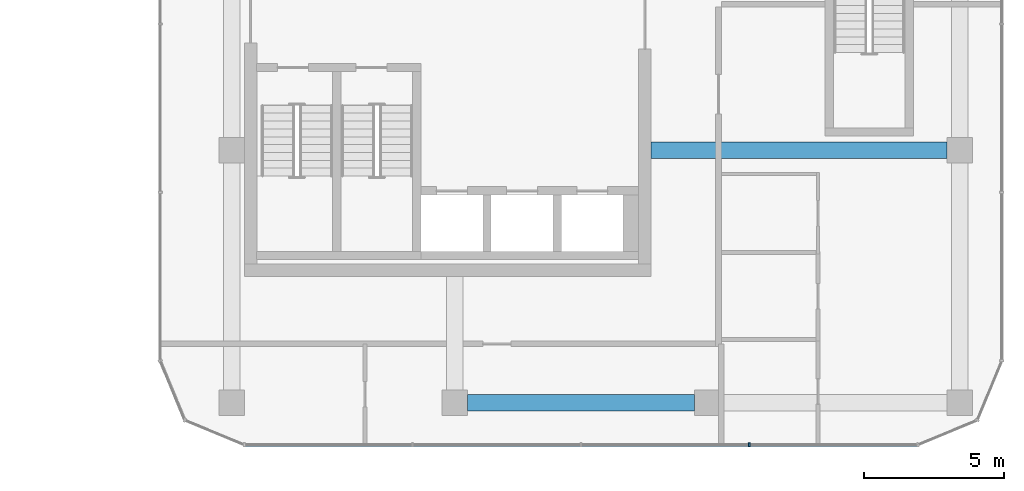
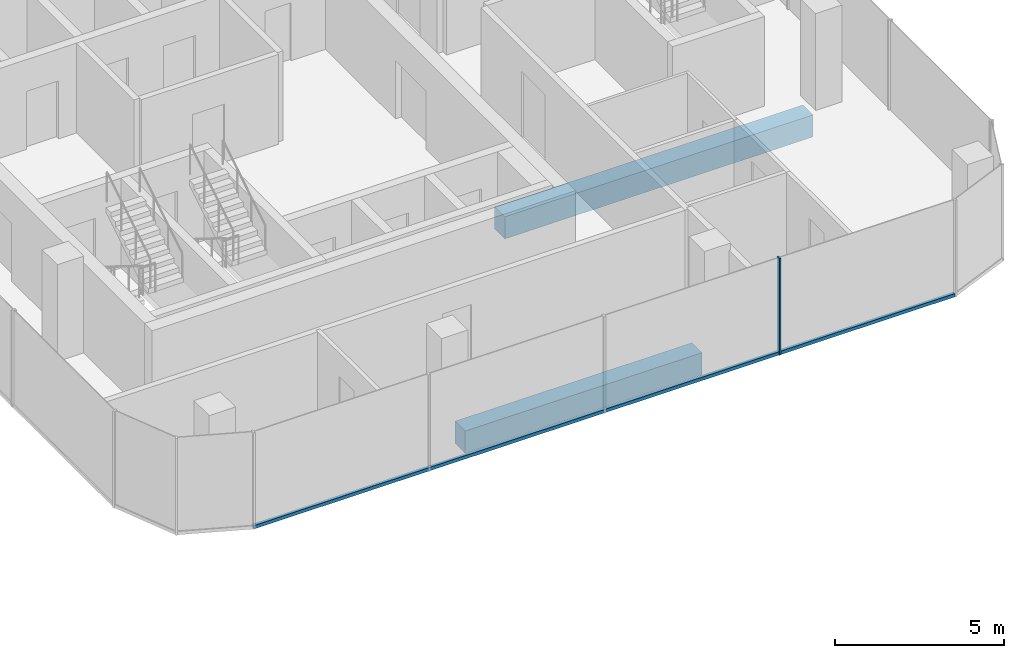
# One storey, part 8 of 27: 2 beams, 2 members, 1 element without a shape of its own.
"""IFC4 building model written with IfcOpenShell, lengths in metres."""

import ifcopenshell
import ifcopenshell.guid

model = None  # the IFC model being written
_history = None  # IfcOwnerHistory: only IFC2X3 demands one
_inside = {}  # id of a spatial element -> (the spatial element, [elements in it])
_under = {}  # id of a project, library or spatial element -> (it, [spatial elements below it])
_declared = {}  # id of a project -> (the project, [libraries it declares])
_typed = {}  # id of a type object -> (the type object, [elements of that type])
_made_of = {}  # id of a material, layer set ... -> (it, [elements and type objects made of it])


def new_model(schema):
    """Start an empty IFC model of exactly this schema.

    Asked for "IFC4X3", IfcOpenShell would pick the latest addendum, in which some entities
    have other attributes; the version numbers below select the first issue.
    IFC2X3 requires an IfcOwnerHistory on every rooted entity: one is made here for all.
    """
    global model, _history
    if schema == "IFC4X3":
        model = ifcopenshell.file(schema_version=(4, 3, 0, 0))
    else:
        model = ifcopenshell.file(schema=schema)
    _inside.clear()
    _under.clear()
    _declared.clear()
    _typed.clear()
    _made_of.clear()
    _history = None
    if model.schema == "IFC2X3":
        org = make("IfcOrganization", Name="unknown")
        user = make(
            "IfcPersonAndOrganization",
            ThePerson=make("IfcPerson", FamilyName="unknown"),
            TheOrganization=org,
        )
        app = make(
            "IfcApplication",
            ApplicationDeveloper=org,
            Version="unknown",
            ApplicationFullName="unknown",
            ApplicationIdentifier="unknown",
        )
        _history = make(
            "IfcOwnerHistory",
            OwningUser=user,
            OwningApplication=app,
            ChangeAction="ADDED",
            CreationDate=0,
        )
    return model


def make(cls, **values):
    """One entity of the class cls with the attributes given. An attribute that is None is left unset."""
    return model.create_entity(
        cls, **{name: value for name, value in values.items() if value is not None}
    )


def rooted(cls, **values):
    """An entity with a GlobalId (a new one), such as an element, a storey or a relation."""
    return make(cls, GlobalId=ifcopenshell.guid.new(), OwnerHistory=_history, **values)


def si_unit(unit_type, name, prefix=None):
    """IfcSIUnit, for example si_unit("LENGTHUNIT", "METRE", prefix="MILLI")."""
    return make("IfcSIUnit", UnitType=unit_type, Prefix=prefix, Name=name)


def assignment(units):
    """IfcUnitAssignment: the units of a project."""
    return None if units is None else make("IfcUnitAssignment", Units=units)


def point(xyz):
    """IfcCartesianPoint."""
    return None if xyz is None else make("IfcCartesianPoint", Coordinates=xyz)


def direction(xyz):
    """IfcDirection."""
    return None if xyz is None else make("IfcDirection", DirectionRatios=xyz)


def frame(location, z_axis=None, x_axis=None):
    """IfcAxis2Placement3D, a coordinate frame: its origin and axes. An axis left out is left unset."""
    return make(
        "IfcAxis2Placement3D",
        Location=point(location),
        Axis=direction(z_axis),
        RefDirection=direction(x_axis),
    )


def frame_2d(location, x_axis=None):
    """IfcAxis2Placement2D, a coordinate frame in the plane: its origin and x axis."""
    return make(
        "IfcAxis2Placement2D", Location=point(location), RefDirection=direction(x_axis)
    )


def origin():
    """The frame at (0, 0, 0) with its axes left unset."""
    return frame((0.0, 0.0, 0.0))


def origin_2d():
    """The frame at (0, 0) in the plane with its x axis left unset."""
    return frame_2d((0.0, 0.0))


def place(relative_to, where):
    """IfcLocalPlacement: puts the frame where relative to a parent placement (None: the world)."""
    return make(
        "IfcLocalPlacement", PlacementRelTo=relative_to, RelativePlacement=where
    )


def context(
    kind, dimensions, precision=None, world=None, true_north=None, identifier=None
):
    """IfcGeometricRepresentationContext, for example the 3D "Model" context."""
    return make(
        "IfcGeometricRepresentationContext",
        ContextIdentifier=identifier,
        ContextType=kind,
        CoordinateSpaceDimension=dimensions,
        Precision=precision,
        WorldCoordinateSystem=world,
        TrueNorth=true_north,
    )


def subcontext(parent, identifier, kind, view, scale=None):
    """IfcGeometricRepresentationSubContext, for example "Body" below "Model"."""
    return make(
        "IfcGeometricRepresentationSubContext",
        ContextIdentifier=identifier,
        ContextType=kind,
        ParentContext=parent,
        TargetScale=scale,
        TargetView=view,
    )


def project(units=None, contexts=None):
    """IfcProject with its units and contexts."""
    return rooted(
        "IfcProject",
        Name="project",
        RepresentationContexts=contexts,
        UnitsInContext=assignment(units),
    )


def spatial(cls, under=None, at=None, **own):
    """A site, building, storey or space (cls), placed at a placement, below another one or the project."""
    s = rooted(cls, ObjectPlacement=at, **own)
    if under is not None:
        _under.setdefault(under.id(), (under, []))[1].append(s)
    return s


def profile(cls, at=None, kind="AREA", **sizes):
    """A parametric profile (cls). Its sizes go by their IFC names, for example OverallWidth=200.0."""
    return make(cls, ProfileType=kind, Position=at, **sizes)


def rectangle(**sizes):
    """IfcRectangleProfileDef."""
    return profile("IfcRectangleProfileDef", **sizes)


def extrude(swept, where, along, depth):
    """IfcExtrudedAreaSolid: the profile swept, set in the frame where, extruded along a direction by depth."""
    return make(
        "IfcExtrudedAreaSolid",
        SweptArea=swept,
        Position=where,
        ExtrudedDirection=direction(along),
        Depth=depth,
    )


def shape(context_of_items, identifier, shape_type, items):
    """IfcShapeRepresentation: the items that make up one representation, for example the "Body"."""
    return make(
        "IfcShapeRepresentation",
        ContextOfItems=context_of_items,
        RepresentationIdentifier=identifier,
        RepresentationType=shape_type,
        Items=items,
    )


def material(Name=None, Category=None):
    """IfcMaterial."""
    return make("IfcMaterial", Name=Name, Category=Category)


def layer(
    of_material, thickness, ventilated=None, Name=None, Category=None, Priority=None
):
    """IfcMaterialLayer: one layer of a wall or slab, of a material (None: an air gap)."""
    return make(
        "IfcMaterialLayer",
        Material=of_material,
        LayerThickness=thickness,
        IsVentilated=ventilated,
        Name=Name,
        Category=Category,
        Priority=Priority,
    )


def layer_set(layers, Name=None):
    """IfcMaterialLayerSet."""
    return make("IfcMaterialLayerSet", MaterialLayers=layers, LayerSetName=Name)


def material_profile(
    of_material, cross_section, Name=None, Category=None, Priority=None
):
    """IfcMaterialProfile: a cross section and its material."""
    return make(
        "IfcMaterialProfile",
        Name=Name,
        Material=of_material,
        Profile=cross_section,
        Priority=Priority,
        Category=Category,
    )


def profile_set(profiles, Name=None, composite=None):
    """IfcMaterialProfileSet."""
    return make(
        "IfcMaterialProfileSet",
        Name=Name,
        MaterialProfiles=profiles,
        CompositeProfile=composite,
    )


def made_of(thing, what):
    """Note that an element or type object is made of a material, layer set ...; save() writes the relation."""
    if what is not None:
        _made_of.setdefault(what.id(), (what, []))[1].append(thing)
    return thing


def type_object(cls, material=None, **own):
    """A type object (cls), such as IfcWallType, which elements share."""
    return made_of(rooted(cls, **own), material)


def element(
    cls,
    number,
    at=None,
    inside=None,
    cuts=None,
    type_object=None,
    material=None,
    context=None,
    identifier="Body",
    shape_type=None,
    held_by="IfcProductDefinitionShape",
    body=None,
    shapes=None,
    **own,
):
    """One element of the class cls, such as IfcWall. Its Tag is "e" and its number.

    at: its placement. inside: the storey or other place that contains it. cuts: it is an
    opening in that element (IfcRelVoidsElement). A single representation is given by context,
    identifier, shape_type and body (its items); several are given by shapes. held_by: the class
    of the entity that holds the representations. save() writes the other relations.
    """
    e = rooted(cls, Tag="e%d" % number, ObjectPlacement=at, **own)
    if body is not None:
        shapes = [shape(context, identifier, shape_type, body)]
    if shapes is not None:
        e.Representation = make(held_by, Representations=shapes)
    if inside is not None:
        _inside.setdefault(inside.id(), (inside, []))[1].append(e)
    if cuts is not None:
        rooted(
            "IfcRelVoidsElement", RelatingBuildingElement=cuts, RelatedOpeningElement=e
        )
    if type_object is not None:
        _typed.setdefault(type_object.id(), (type_object, []))[1].append(e)
    return made_of(e, material)


def aggregate(whole, parts):
    """IfcRelAggregates: a whole, such as a stair, and the parts it consists of."""
    return rooted("IfcRelAggregates", RelatingObject=whole, RelatedObjects=parts)


def save(model, path):
    """Write the relations noted so far, then the file.

    IfcRelAggregates (storeys below a building ...), IfcRelContainedInSpatialStructure (elements
    in a storey), IfcRelDefinesByType, IfcRelAssociatesMaterial and IfcRelDeclares: one each for
    every whole, place, type object, material and project.
    """
    for whole, parts in _under.values():
        aggregate(whole, parts)
    for where, things in _inside.values():
        rooted(
            "IfcRelContainedInSpatialStructure",
            RelatedElements=things,
            RelatingStructure=where,
        )
    for kind, things in _typed.values():
        rooted("IfcRelDefinesByType", RelatedObjects=things, RelatingType=kind)
    for what, things in _made_of.values():
        rooted("IfcRelAssociatesMaterial", RelatedObjects=things, RelatingMaterial=what)
    for by, libraries in _declared.values():
        rooted("IfcRelDeclares", RelatingContext=by, RelatedDefinitions=libraries)
    model.write(path)


model = new_model("IFC4")

# Units and contexts
model_context = context("Model", 3, precision=1e-05, world=origin(), true_north=direction((0.0, 1.0)))
body_context = subcontext(model_context, "Body", "Model", "MODEL_VIEW")
ifc_project = project(units=[si_unit("LENGTHUNIT", "METRE"), si_unit("AREAUNIT", "SQUARE_METRE"), si_unit("VOLUMEUNIT", "CUBIC_METRE"), si_unit("PLANEANGLEUNIT", "RADIAN"), si_unit("MASSUNIT", "GRAM", prefix="KILO")], contexts=[model_context])

# Site, building, storey
site_placement = place(None, origin())
site = spatial("IfcSite", under=ifc_project, at=site_placement, CompositionType="ELEMENT")
building_placement = place(site_placement, origin())
building = spatial("IfcBuilding", under=site, at=building_placement, Name="Plateau Cross Towers", CompositionType="ELEMENT")
storey_placement = place(building_placement, frame((0.0, 0.0, 78.300048828125)))
storey = spatial("IfcBuildingStorey", under=building, at=storey_placement, Name="L19", CompositionType="ELEMENT", Elevation=78.300048828125)

# Beam
ifc_material_1 = material(Name="Concrete C60/75", Category="concrete")
ifc_material_profile_1 = material_profile(ifc_material_1, rectangle(XDim=0.60009765625, YDim=0.800048828125, at=origin_2d()), Name="RC 600x800")
ifc_profile_set_1 = profile_set([ifc_material_profile_1], Name="Concrete C60/75")
beam_type_1 = type_object("IfcBeamType", Name="Core beam RC 600x800", PredefinedType="BEAM", material=ifc_profile_set_1)
beam_1_placement = place(storey_placement, frame((89.5, 4.5, -0.650146484375), z_axis=(1.0, 0.0, 0.0), x_axis=(0.0, 1.0, 0.0)))
element("IfcBeam", 1, at=beam_1_placement, inside=storey, type_object=beam_type_1, Name="B-CB02@L19", PredefinedType="BEAM", context=body_context, shape_type="SweptSolid", body=[
    extrude(rectangle(XDim=0.60009765625, YDim=0.800048828125, at=origin_2d()), origin(), (0.0, 0.0, 1.0), 10.550048828125),
])

# Curtain wall, member
ifc_material_2 = material(Name="Dark low-iron glass", Category="glass")
ifc_layer = layer(ifc_material_2, 0.239990234375)
ifc_layer_set = layer_set([ifc_layer], Name="Dark low-iron glass")
curtain_wall_type = type_object("IfcCurtainWallType", Name="Curtain wall office unitised CW-F", PredefinedType="NOTDEFINED", material=ifc_layer_set)
curtain_wall_placement = place(storey_placement, origin())
curtain_wall = element("IfcCurtainWall", 2, at=curtain_wall_placement, inside=storey, type_object=curtain_wall_type, Name="ENV/B/L19/B750_-60", PredefinedType="NOTDEFINED")
ifc_material_3 = material(Name="Black anodised aluminium", Category="aluminium")
ifc_material_profile_2 = material_profile(ifc_material_3, rectangle(XDim=0.06005859375, YDim=0.139892578125, at=origin_2d()), Name="MULLION 60x140")
ifc_profile_set_2 = profile_set([ifc_material_profile_2], Name="Black anodised aluminium")
member_type_1 = type_object("IfcMemberType", Name="Mullion 60x140 office unitised", PredefinedType="MULLION", material=ifc_profile_set_2)
member_1_placement = place(storey_placement, frame((93.0, -6.0, -0.25), z_axis=(0.0, 0.0, 1.0), x_axis=(1.0, 0.0, 0.0)))
member_1 = element("IfcMember", 3, at=member_1_placement, type_object=member_type_1, Name="CW-F mullion 4", PredefinedType="MULLION", context=body_context, shape_type="SweptSolid", body=[
    extrude(rectangle(XDim=0.06005859375, YDim=0.139892578125, at=origin_2d()), origin(), (0.0, 0.0, 1.0), 3.5),
])

# Beam
ifc_material_profile_3 = material_profile(ifc_material_1, rectangle(XDim=0.60009765625, YDim=0.800048828125, at=origin_2d()), Name="RC 600x800")
ifc_profile_set_3 = profile_set([ifc_material_profile_3], Name="Concrete C60/75")
beam_type_2 = type_object("IfcBeamType", Name="Ring beam RC 600x800", PredefinedType="BEAM", material=ifc_profile_set_3)
beam_2_placement = place(storey_placement, frame((82.949951171875, -4.5, -0.650146484375), z_axis=(1.0, 0.0, 0.0), x_axis=(0.0, 1.0, 0.0)))
element("IfcBeam", 4, at=beam_2_placement, inside=storey, type_object=beam_type_2, Name="B-RB01@L19", PredefinedType="BEAM", context=body_context, shape_type="SweptSolid", body=[
    extrude(rectangle(XDim=0.60009765625, YDim=0.800048828125, at=origin_2d()), origin(), (0.0, 0.0, 1.0), 8.10009765625),
])

# Member
ifc_material_profile_4 = material_profile(ifc_material_3, rectangle(XDim=0.10009765625, YDim=0.1201171875, at=origin_2d()), Name="TRANSOM 100x120")
ifc_profile_set_4 = profile_set([ifc_material_profile_4], Name="Black anodised aluminium")
member_type_2 = type_object("IfcMemberType", Name="Transom 100x120 office unitised", PredefinedType="USERDEFINED", material=ifc_profile_set_4)
member_2_placement = place(storey_placement, frame((75.0, -6.0, -0.18994140625), z_axis=(1.0, 0.0, 0.0), x_axis=(0.0, 1.0, 0.0)))
member_2 = element("IfcMember", 5, at=member_2_placement, type_object=member_type_2, Name="CW-F transom", ObjectType="TRANSOM", PredefinedType="USERDEFINED", context=body_context, shape_type="SweptSolid", body=[
    extrude(rectangle(XDim=0.10009765625, YDim=0.1201171875, at=origin_2d()), origin(), (0.0, 0.0, 1.0), 24.0),
])

aggregate(curtain_wall, [member_1, member_2])

save(model, "model.ifc")
